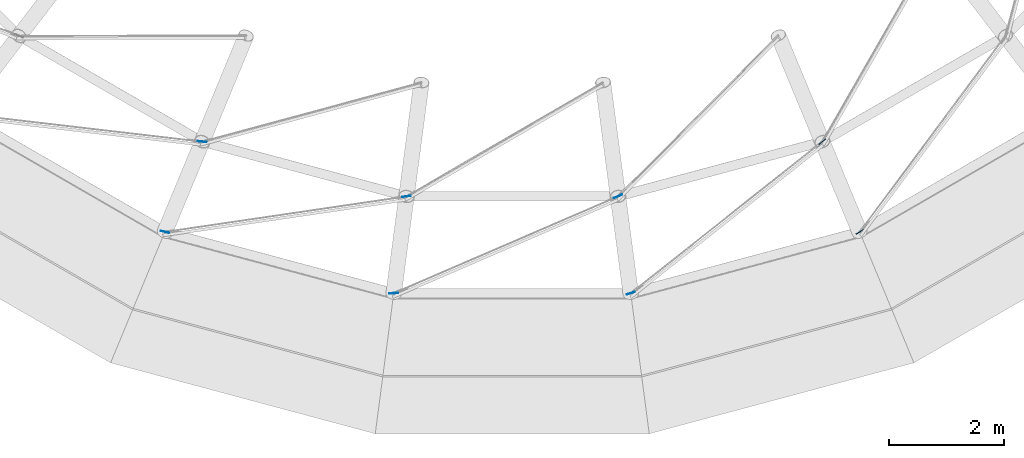
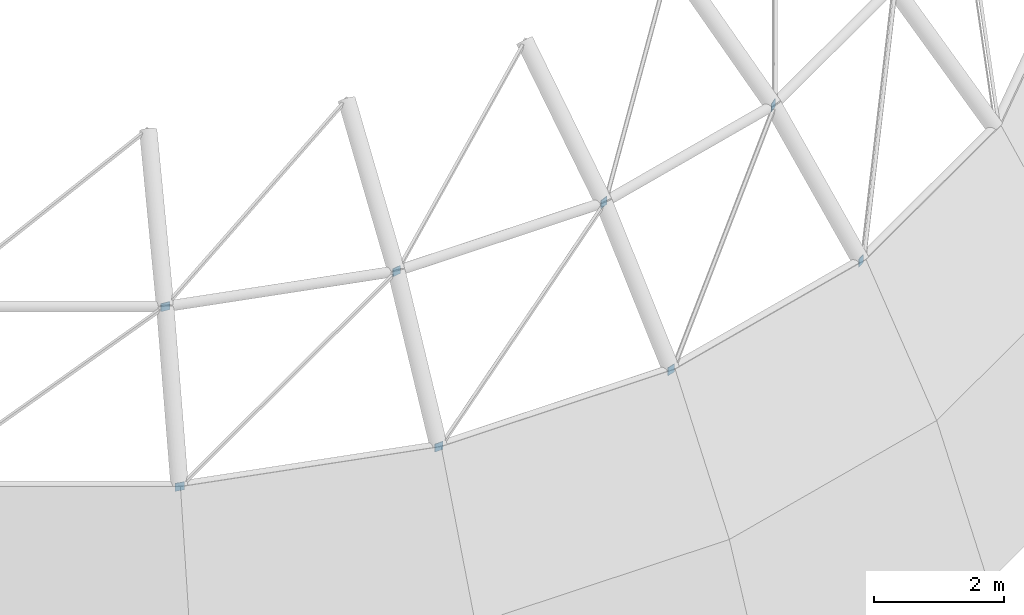
# One storey, part 42 of 62: 8 discrete accessories.
"""IFC4 building model written with IfcOpenShell, lengths in metres."""

from ifc_helpers import new_model, si_unit, direction, frame, origin, origin_2d, place, context, subcontext, project, spatial, rectangle, extrude, material, type_object, element, save


model = new_model("IFC4")

# Units and contexts
model_context = context("Model", 3, precision=1e-05, world=origin(), true_north=direction((0.0, 1.0)))
body_context = subcontext(model_context, "Body", "Model", "MODEL_VIEW")
ifc_project = project(units=[si_unit("LENGTHUNIT", "METRE"), si_unit("AREAUNIT", "SQUARE_METRE"), si_unit("VOLUMEUNIT", "CUBIC_METRE"), si_unit("PLANEANGLEUNIT", "RADIAN"), si_unit("MASSUNIT", "GRAM", prefix="KILO")], contexts=[model_context])

# Site, building, storey
site_placement = place(None, origin())
site = spatial("IfcSite", under=ifc_project, at=site_placement, CompositionType="ELEMENT")
building_placement = place(site_placement, origin())
building = spatial("IfcBuilding", under=site, at=building_placement, Name="Hortulan Conservatory and Botanical Research Centre", CompositionType="ELEMENT")
storey_placement = place(building_placement, frame((0.0, 0.0, 15.0)))
storey = spatial("IfcBuildingStorey", under=building, at=storey_placement, Name="L03", CompositionType="ELEMENT", Elevation=15.0)

# Discrete accessories
ifc_material = material(Name="Steel Grade 300 plate (AS/NZS 3678, 280 MPa minimum yield)", Category="steel")
discrete_accessory_type = type_object("IfcDiscreteAccessoryType", Name="End Plate 150x10", PredefinedType="BRACKET", material=ifc_material)
for number, where, z_axis, x_axis, name in (
    (1, (47.95263671875, 3.400390625, 0.4404296875), (0.0, 0.0, 1.0), (0.975939600494, -0.218041042436, 0.0), "Dome rod end plate"),
    (2, (48.603271484375, 4.970947265625, 2.636962890625), (0.0, 0.0, 1.0), (0.993280168002, -0.115734644136, 0.0), "Dome rod end plate"),
    (3, (51.9375, 2.332763671875, 0.4404296875), (0.0, 0.0, 1.0), (0.999118439412, 0.041980281398, 0.0), "Dome rod end plate"),
    (4, (52.1591796875, 4.01806640625, 2.636962890625), (0.0, 0.0, 1.0), (0.989394368026, 0.145254206544, 0.0), "Dome rod end plate"),
    (5, (55.8408203125, 4.01806640625, 2.636962890625), (0.0, 0.0, 1.0), (0.918080099169, 0.396394918621, 0.0), "Dome rod end plate"),
    (6, (56.0625, 2.332763671875, 0.4404296875), (0.0, 0.0, 1.0), (0.95420378667, 0.299157372473, 0.0), "Dome rod end plate"),
    (7, (59.396728515625, 4.970947265625, 2.636962890625), (0.0, 0.0, 1.0), (0.784202724069, 0.620504703901, 0.0), "Dome rod end plate"),
    (8, (60.04736328125, 3.400390625, 0.4404296875), (0.0, 0.0, 1.0), (0.844262455608, 0.535929945096, 0.0), "Dome rod end plate"),
):
    element("IfcDiscreteAccessory", number, at=place(storey_placement, frame(where, z_axis=z_axis, x_axis=x_axis)), inside=storey, type_object=discrete_accessory_type, Name=name, PredefinedType="BRACKET", context=body_context, shape_type="SweptSolid", body=[
        extrude(rectangle(XDim=0.14990234375, YDim=0.010009765625, at=origin_2d()), origin(), (0.0, 0.0, 1.0), 0.14990234375),
    ])

save(model, "model.ifc")
